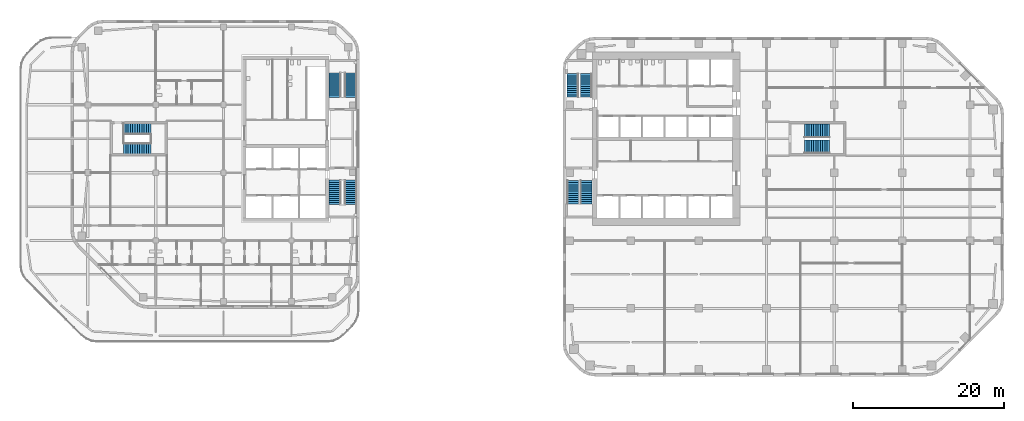
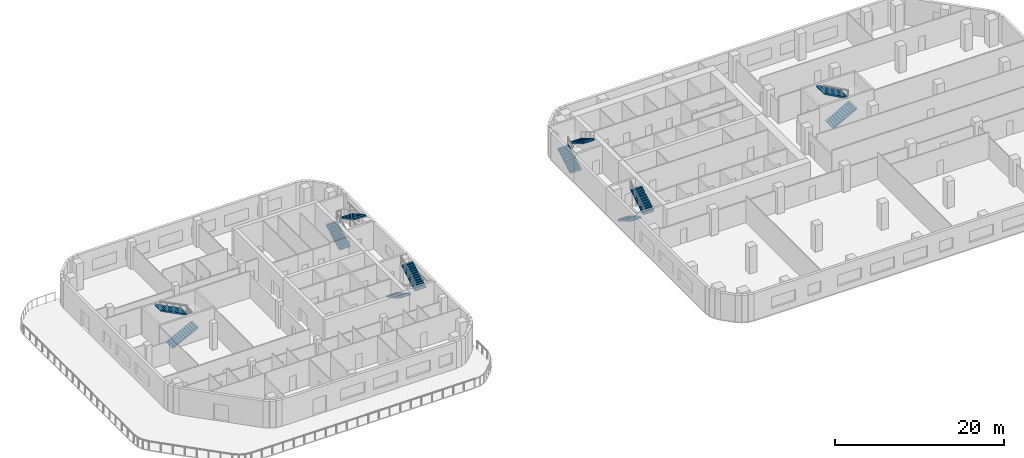
# One storey, part 12 of 15: 12 stair flights, 6 elements without a shape of their own.
"""IFC4 building model written with IfcOpenShell, lengths in metres."""

from ifc_helpers import new_model, si_unit, direction, frame, origin, place, context, subcontext, project, spatial, polyline, outline, extrude, material, type_object, element, aggregate, save


model = new_model("IFC4")

# Units and contexts
model_context = context("Model", 3, precision=1e-05, world=origin(), true_north=direction((0.0, 1.0)))
body_context = subcontext(model_context, "Body", "Model", "MODEL_VIEW")
ifc_project = project(units=[si_unit("LENGTHUNIT", "METRE"), si_unit("AREAUNIT", "SQUARE_METRE"), si_unit("VOLUMEUNIT", "CUBIC_METRE"), si_unit("PLANEANGLEUNIT", "RADIAN"), si_unit("MASSUNIT", "GRAM", prefix="KILO")], contexts=[model_context])

# Site, building, storey
site_placement = place(None, origin())
site = spatial("IfcSite", under=ifc_project, at=site_placement, CompositionType="ELEMENT")
building_placement = place(site_placement, origin())
building = spatial("IfcBuilding", under=site, at=building_placement, Name="Cinnabar Reach Civic Tower", CompositionType="ELEMENT")
storey_placement = place(building_placement, frame((0.0, 0.0, 51.0)))
storey = spatial("IfcBuildingStorey", under=building, at=storey_placement, Name="L11", CompositionType="ELEMENT", Elevation=51.0)

# Stair, stair flights
ifc_material_1 = material(Name="Concrete C40/50", Category="concrete")
stair_type_1 = type_object("IfcStairType", Name="T1 Exit stair, half-turn", PredefinedType="HALF_TURN_STAIR", material=ifc_material_1)
stair_1_placement = place(storey_placement, origin())
stair_1 = element("IfcStair", 1, at=stair_1_placement, inside=storey, type_object=stair_type_1, Name="Stair T1-S1", PredefinedType="HALF_TURN_STAIR")
stair_flight_type_1 = type_object("IfcStairFlightType", Name="T1 Stair flight, concrete", PredefinedType="STRAIGHT", material=ifc_material_1)
stair_flight_1_placement = place(storey_placement, frame((1.3125, 25.95, 0.0), z_axis=(0.0, 0.0, 1.0), x_axis=(0.0, -1.0, 0.0)))
stair_flight_1 = element("IfcStairFlight", 2, at=stair_flight_1_placement, type_object=stair_flight_type_1, Name="T1-S1 flight 1", NumberOfRisers=12, NumberOfTreads=11, PredefinedType="STRAIGHT", RiserHeight=0.166666667, TreadLength=0.28, context=body_context, shape_type="SweptSolid", body=[
    extrude(outline(polyline([(0.0, 0.0), (0.0, 0.1667), (0.28, 0.1667), (0.28, 0.3333), (0.56, 0.3333), (0.56, 0.5), (0.84, 0.5), (0.84, 0.6667), (1.12, 0.6667), (1.12, 0.8333), (1.4, 0.8333), (1.4, 1.0), (1.68, 1.0), (1.68, 1.1667), (1.96, 1.1667), (1.96, 1.3333), (2.24, 1.3333), (2.24, 1.5), (2.52, 1.5), (2.52, 1.6667), (2.8, 1.6667), (2.8, 1.8333), (3.08, 1.8333), (3.08, 2.0), (3.08, 1.6588), (0.2933, 0.0), (0.0, 0.0)])), frame((0.0, 0.7625, 0.0), z_axis=(0.0, -1.0, 0.0), x_axis=(1.0, 0.0, 0.0)), (0.0, 0.0, 1.0), 1.525),
])
stair_flight_2_placement = place(storey_placement, frame((3.0875, 22.87, 2.0), z_axis=(0.0, 0.0, 1.0), x_axis=(0.0, 1.0, 0.0)))
stair_flight_2 = element("IfcStairFlight", 3, at=stair_flight_2_placement, type_object=stair_flight_type_1, Name="T1-S1 flight 2", NumberOfRisers=12, NumberOfTreads=11, PredefinedType="STRAIGHT", RiserHeight=0.166666667, TreadLength=0.28, context=body_context, shape_type="SweptSolid", body=[
    extrude(outline(polyline([(0.0, 0.0), (0.0, 0.1667), (0.28, 0.1667), (0.28, 0.3333), (0.56, 0.3333), (0.56, 0.5), (0.84, 0.5), (0.84, 0.6667), (1.12, 0.6667), (1.12, 0.8333), (1.4, 0.8333), (1.4, 1.0), (1.68, 1.0), (1.68, 1.1667), (1.96, 1.1667), (1.96, 1.3333), (2.24, 1.3333), (2.24, 1.5), (2.52, 1.5), (2.52, 1.6667), (2.8, 1.6667), (2.8, 1.8333), (3.08, 1.8333), (3.08, 2.0), (3.08, 1.6588), (0.2933, 0.0), (0.0, 0.0)])), frame((0.0, 0.7625, 0.0), z_axis=(0.0, -1.0, 0.0), x_axis=(1.0, 0.0, 0.0)), (0.0, 0.0, 1.0), 1.525),
])
aggregate(stair_1, [stair_flight_1, stair_flight_2])

stair_2_placement = place(storey_placement, origin())
stair_2 = element("IfcStair", 4, at=stair_2_placement, inside=storey, type_object=stair_type_1, Name="Stair T1-S2", PredefinedType="HALF_TURN_STAIR")
stair_flight_3_placement = place(storey_placement, frame((1.3125, 37.05, 0.0), z_axis=(0.0, 0.0, 1.0), x_axis=(0.0, 1.0, 0.0)))
stair_flight_3 = element("IfcStairFlight", 5, at=stair_flight_3_placement, type_object=stair_flight_type_1, Name="T1-S2 flight 1", NumberOfRisers=12, NumberOfTreads=11, PredefinedType="STRAIGHT", RiserHeight=0.166666667, TreadLength=0.28, context=body_context, shape_type="SweptSolid", body=[
    extrude(outline(polyline([(0.0, 0.0), (0.0, 0.1667), (0.28, 0.1667), (0.28, 0.3333), (0.56, 0.3333), (0.56, 0.5), (0.84, 0.5), (0.84, 0.6667), (1.12, 0.6667), (1.12, 0.8333), (1.4, 0.8333), (1.4, 1.0), (1.68, 1.0), (1.68, 1.1667), (1.96, 1.1667), (1.96, 1.3333), (2.24, 1.3333), (2.24, 1.5), (2.52, 1.5), (2.52, 1.6667), (2.8, 1.6667), (2.8, 1.8333), (3.08, 1.8333), (3.08, 2.0), (3.08, 1.6588), (0.2933, 0.0), (0.0, 0.0)])), frame((0.0, 0.7625, 0.0), z_axis=(0.0, -1.0, 0.0), x_axis=(1.0, 0.0, 0.0)), (0.0, 0.0, 1.0), 1.525),
])
stair_flight_4_placement = place(storey_placement, frame((3.0875, 40.13, 2.0), z_axis=(0.0, 0.0, 1.0), x_axis=(0.0, -1.0, 0.0)))
stair_flight_4 = element("IfcStairFlight", 6, at=stair_flight_4_placement, type_object=stair_flight_type_1, Name="T1-S2 flight 2", NumberOfRisers=12, NumberOfTreads=11, PredefinedType="STRAIGHT", RiserHeight=0.166666667, TreadLength=0.28, context=body_context, shape_type="SweptSolid", body=[
    extrude(outline(polyline([(0.0, 0.0), (0.0, 0.1667), (0.28, 0.1667), (0.28, 0.3333), (0.56, 0.3333), (0.56, 0.5), (0.84, 0.5), (0.84, 0.6667), (1.12, 0.6667), (1.12, 0.8333), (1.4, 0.8333), (1.4, 1.0), (1.68, 1.0), (1.68, 1.1667), (1.96, 1.1667), (1.96, 1.3333), (2.24, 1.3333), (2.24, 1.5), (2.52, 1.5), (2.52, 1.6667), (2.8, 1.6667), (2.8, 1.8333), (3.08, 1.8333), (3.08, 2.0), (3.08, 1.6588), (0.2933, 0.0), (0.0, 0.0)])), frame((0.0, 0.7625, 0.0), z_axis=(0.0, -1.0, 0.0), x_axis=(1.0, 0.0, 0.0)), (0.0, 0.0, 1.0), 1.525),
])
aggregate(stair_2, [stair_flight_3, stair_flight_4])

stair_3_placement = place(storey_placement, origin())
stair_3 = element("IfcStair", 7, at=stair_3_placement, inside=storey, type_object=stair_type_1, Name="Stair T1-S3", PredefinedType="HALF_TURN_STAIR")
stair_flight_5_placement = place(storey_placement, frame((32.05, 30.45, 0.0), z_axis=(0.0, 0.0, 1.0), x_axis=(1.0, 0.0, 0.0)))
stair_flight_5 = element("IfcStairFlight", 8, at=stair_flight_5_placement, type_object=stair_flight_type_1, Name="T1-S3 flight 1", NumberOfRisers=12, NumberOfTreads=11, PredefinedType="STRAIGHT", RiserHeight=0.166666667, TreadLength=0.3, context=body_context, shape_type="SweptSolid", body=[
    extrude(outline(polyline([(0.0, 0.0), (0.0, 0.1667), (0.3, 0.1667), (0.3, 0.3333), (0.6, 0.3333), (0.6, 0.5), (0.9, 0.5), (0.9, 0.6667), (1.2, 0.6667), (1.2, 0.8333), (1.5, 0.8333), (1.5, 1.0), (1.8, 1.0), (1.8, 1.1667), (2.1, 1.1667), (2.1, 1.3333), (2.4, 1.3333), (2.4, 1.5), (2.7, 1.5), (2.7, 1.6667), (3.0, 1.6667), (3.0, 1.8333), (3.3, 1.8333), (3.3, 2.0), (3.3, 1.6617), (0.3089, 0.0), (0.0, 0.0)])), frame((0.0, 0.9, 0.0), z_axis=(0.0, -1.0, 0.0), x_axis=(1.0, 0.0, 0.0)), (0.0, 0.0, 1.0), 1.8),
])
stair_flight_6_placement = place(storey_placement, frame((35.35, 32.55, 2.0), z_axis=(0.0, 0.0, 1.0), x_axis=(-1.0, 0.0, 0.0)))
stair_flight_6 = element("IfcStairFlight", 9, at=stair_flight_6_placement, type_object=stair_flight_type_1, Name="T1-S3 flight 2", NumberOfRisers=12, NumberOfTreads=11, PredefinedType="STRAIGHT", RiserHeight=0.166666667, TreadLength=0.3, context=body_context, shape_type="SweptSolid", body=[
    extrude(outline(polyline([(0.0, 0.0), (0.0, 0.1667), (0.3, 0.1667), (0.3, 0.3333), (0.6, 0.3333), (0.6, 0.5), (0.9, 0.5), (0.9, 0.6667), (1.2, 0.6667), (1.2, 0.8333), (1.5, 0.8333), (1.5, 1.0), (1.8, 1.0), (1.8, 1.1667), (2.1, 1.1667), (2.1, 1.3333), (2.4, 1.3333), (2.4, 1.5), (2.7, 1.5), (2.7, 1.6667), (3.0, 1.6667), (3.0, 1.8333), (3.3, 1.8333), (3.3, 2.0), (3.3, 1.6617), (0.3089, 0.0), (0.0, 0.0)])), frame((0.0, 0.9, 0.0), z_axis=(0.0, -1.0, 0.0), x_axis=(1.0, 0.0, 0.0)), (0.0, 0.0, 1.0), 1.8),
])
aggregate(stair_3, [stair_flight_5, stair_flight_6])

ifc_material_2 = material(Name="Concrete C40", Category="concrete")
stair_type_2 = type_object("IfcStairType", Name="T2 Exit stair 1500", PredefinedType="HALF_TURN_STAIR", material=ifc_material_2)
stair_4_placement = place(storey_placement, origin())
stair_4 = element("IfcStair", 10, at=stair_4_placement, inside=storey, type_object=stair_type_2, Name="Exit stair 1", PredefinedType="HALF_TURN_STAIR")
stair_flight_type_2 = type_object("IfcStairFlightType", Name="T2 Stair flight 1500", PredefinedType="STRAIGHT", material=ifc_material_2)
stair_flight_7_placement = place(storey_placement, frame((-30.25, 26.0, 0.0), z_axis=(0.0, 0.0, 1.0), x_axis=(0.0, -1.0, 0.0)))
stair_flight_7 = element("IfcStairFlight", 11, at=stair_flight_7_placement, type_object=stair_flight_type_2, Name="ST1 flight 1", NumberOfRisers=13, NumberOfTreads=12, PredefinedType="STRAIGHT", RiserHeight=0.153846154, TreadLength=0.270833333, context=body_context, shape_type="SweptSolid", body=[
    extrude(outline(polyline([(0.0, 0.0), (0.0, 0.1538), (0.2708, 0.1538), (0.2708, 0.3077), (0.5417, 0.3077), (0.5417, 0.4615), (0.8125, 0.4615), (0.8125, 0.6154), (1.0833, 0.6154), (1.0833, 0.7692), (1.3542, 0.7692), (1.3542, 0.9231), (1.625, 0.9231), (1.625, 1.0769), (1.8958, 1.0769), (1.8958, 1.2308), (2.1667, 1.2308), (2.1667, 1.3846), (2.4375, 1.3846), (2.4375, 1.5385), (2.7083, 1.5385), (2.7083, 1.6923), (2.9792, 1.6923), (2.9792, 1.8462), (3.25, 1.8462), (3.25, 2.0), (3.25, 1.6736), (0.3037, 0.0), (0.0, 0.0)])), frame((0.0, 0.75, 0.0), z_axis=(0.0, -1.0, 0.0), x_axis=(1.0, 0.0, 0.0)), (0.0, 0.0, 1.0), 1.5),
])
stair_flight_8_placement = place(storey_placement, frame((-28.15, 22.75, 2.0), z_axis=(0.0, 0.0, 1.0), x_axis=(0.0, 1.0, 0.0)))
stair_flight_8 = element("IfcStairFlight", 12, at=stair_flight_8_placement, type_object=stair_flight_type_2, Name="ST1 flight 2", NumberOfRisers=13, NumberOfTreads=12, PredefinedType="STRAIGHT", RiserHeight=0.153846154, TreadLength=0.270833333, context=body_context, shape_type="SweptSolid", body=[
    extrude(outline(polyline([(0.0, 0.0), (0.0, 0.1538), (0.2708, 0.1538), (0.2708, 0.3077), (0.5417, 0.3077), (0.5417, 0.4615), (0.8125, 0.4615), (0.8125, 0.6154), (1.0833, 0.6154), (1.0833, 0.7692), (1.3542, 0.7692), (1.3542, 0.9231), (1.625, 0.9231), (1.625, 1.0769), (1.8958, 1.0769), (1.8958, 1.2308), (2.1667, 1.2308), (2.1667, 1.3846), (2.4375, 1.3846), (2.4375, 1.5385), (2.7083, 1.5385), (2.7083, 1.6923), (2.9792, 1.6923), (2.9792, 1.8462), (3.25, 1.8462), (3.25, 2.0), (3.25, 1.6736), (0.3037, 0.0), (0.0, 0.0)])), frame((0.0, 0.75, 0.0), z_axis=(0.0, -1.0, 0.0), x_axis=(1.0, 0.0, 0.0)), (0.0, 0.0, 1.0), 1.5),
])
aggregate(stair_4, [stair_flight_7, stair_flight_8])

stair_5_placement = place(storey_placement, origin())
stair_5 = element("IfcStair", 13, at=stair_5_placement, inside=storey, type_object=stair_type_2, Name="Exit stair 2", PredefinedType="HALF_TURN_STAIR")
stair_flight_9_placement = place(storey_placement, frame((-30.25, 37.0, 0.0), z_axis=(0.0, 0.0, 1.0), x_axis=(0.0, 1.0, 0.0)))
stair_flight_9 = element("IfcStairFlight", 14, at=stair_flight_9_placement, type_object=stair_flight_type_2, Name="ST2 flight 1", NumberOfRisers=13, NumberOfTreads=12, PredefinedType="STRAIGHT", RiserHeight=0.153846154, TreadLength=0.270833333, context=body_context, shape_type="SweptSolid", body=[
    extrude(outline(polyline([(0.0, 0.0), (0.0, 0.1538), (0.2708, 0.1538), (0.2708, 0.3077), (0.5417, 0.3077), (0.5417, 0.4615), (0.8125, 0.4615), (0.8125, 0.6154), (1.0833, 0.6154), (1.0833, 0.7692), (1.3542, 0.7692), (1.3542, 0.9231), (1.625, 0.9231), (1.625, 1.0769), (1.8958, 1.0769), (1.8958, 1.2308), (2.1667, 1.2308), (2.1667, 1.3846), (2.4375, 1.3846), (2.4375, 1.5385), (2.7083, 1.5385), (2.7083, 1.6923), (2.9792, 1.6923), (2.9792, 1.8462), (3.25, 1.8462), (3.25, 2.0), (3.25, 1.6736), (0.3037, 0.0), (0.0, 0.0)])), frame((0.0, 0.75, 0.0), z_axis=(0.0, -1.0, 0.0), x_axis=(1.0, 0.0, 0.0)), (0.0, 0.0, 1.0), 1.5),
])
stair_flight_10_placement = place(storey_placement, frame((-28.15, 40.25, 2.0), z_axis=(0.0, 0.0, 1.0), x_axis=(0.0, -1.0, 0.0)))
stair_flight_10 = element("IfcStairFlight", 15, at=stair_flight_10_placement, type_object=stair_flight_type_2, Name="ST2 flight 2", NumberOfRisers=13, NumberOfTreads=12, PredefinedType="STRAIGHT", RiserHeight=0.153846154, TreadLength=0.270833333, context=body_context, shape_type="SweptSolid", body=[
    extrude(outline(polyline([(0.0, 0.0), (0.0, 0.1538), (0.2708, 0.1538), (0.2708, 0.3077), (0.5417, 0.3077), (0.5417, 0.4615), (0.8125, 0.4615), (0.8125, 0.6154), (1.0833, 0.6154), (1.0833, 0.7692), (1.3542, 0.7692), (1.3542, 0.9231), (1.625, 0.9231), (1.625, 1.0769), (1.8958, 1.0769), (1.8958, 1.2308), (2.1667, 1.2308), (2.1667, 1.3846), (2.4375, 1.3846), (2.4375, 1.5385), (2.7083, 1.5385), (2.7083, 1.6923), (2.9792, 1.6923), (2.9792, 1.8462), (3.25, 1.8462), (3.25, 2.0), (3.25, 1.6736), (0.3037, 0.0), (0.0, 0.0)])), frame((0.0, 0.75, 0.0), z_axis=(0.0, -1.0, 0.0), x_axis=(1.0, 0.0, 0.0)), (0.0, 0.0, 1.0), 1.5),
])
aggregate(stair_5, [stair_flight_9, stair_flight_10])

stair_6_placement = place(storey_placement, origin())
stair_6 = element("IfcStair", 16, at=stair_6_placement, inside=storey, type_object=stair_type_2, Name="Exit stair 3", PredefinedType="HALF_TURN_STAIR")
stair_flight_11_placement = place(storey_placement, frame((-58.25, 30.125, 0.0), z_axis=(0.0, 0.0, 1.0), x_axis=(1.0, 0.0, 0.0)))
stair_flight_11 = element("IfcStairFlight", 17, at=stair_flight_11_placement, type_object=stair_flight_type_2, Name="ST3 flight 1", NumberOfRisers=13, NumberOfTreads=12, PredefinedType="STRAIGHT", RiserHeight=0.153846154, TreadLength=0.3, context=body_context, shape_type="SweptSolid", body=[
    extrude(outline(polyline([(0.0, 0.0), (0.0, 0.1538), (0.3, 0.1538), (0.3, 0.3077), (0.6, 0.3077), (0.6, 0.4615), (0.9, 0.4615), (0.9, 0.6154), (1.2, 0.6154), (1.2, 0.7692), (1.5, 0.7692), (1.5, 0.9231), (1.8, 0.9231), (1.8, 1.0769), (2.1, 1.0769), (2.1, 1.2308), (2.4, 1.2308), (2.4, 1.3846), (2.7, 1.3846), (2.7, 1.5385), (3.0, 1.5385), (3.0, 1.6923), (3.3, 1.6923), (3.3, 1.8462), (3.6, 1.8462), (3.6, 2.0), (3.6, 1.6776), (0.3287, 0.0), (0.0, 0.0)])), frame((0.0, 0.75, 0.0), z_axis=(0.0, -1.0, 0.0), x_axis=(1.0, 0.0, 0.0)), (0.0, 0.0, 1.0), 1.5),
])
stair_flight_12_placement = place(storey_placement, frame((-54.65, 32.875, 2.0), z_axis=(0.0, 0.0, 1.0), x_axis=(-1.0, 0.0, 0.0)))
stair_flight_12 = element("IfcStairFlight", 18, at=stair_flight_12_placement, type_object=stair_flight_type_2, Name="ST3 flight 2", NumberOfRisers=13, NumberOfTreads=12, PredefinedType="STRAIGHT", RiserHeight=0.153846154, TreadLength=0.3, context=body_context, shape_type="SweptSolid", body=[
    extrude(outline(polyline([(0.0, 0.0), (0.0, 0.1538), (0.3, 0.1538), (0.3, 0.3077), (0.6, 0.3077), (0.6, 0.4615), (0.9, 0.4615), (0.9, 0.6154), (1.2, 0.6154), (1.2, 0.7692), (1.5, 0.7692), (1.5, 0.9231), (1.8, 0.9231), (1.8, 1.0769), (2.1, 1.0769), (2.1, 1.2308), (2.4, 1.2308), (2.4, 1.3846), (2.7, 1.3846), (2.7, 1.5385), (3.0, 1.5385), (3.0, 1.6923), (3.3, 1.6923), (3.3, 1.8462), (3.6, 1.8462), (3.6, 2.0), (3.6, 1.6776), (0.3287, 0.0), (0.0, 0.0)])), frame((0.0, 0.75, 0.0), z_axis=(0.0, -1.0, 0.0), x_axis=(1.0, 0.0, 0.0)), (0.0, 0.0, 1.0), 1.5),
])
aggregate(stair_6, [stair_flight_11, stair_flight_12])

save(model, "model.ifc")
